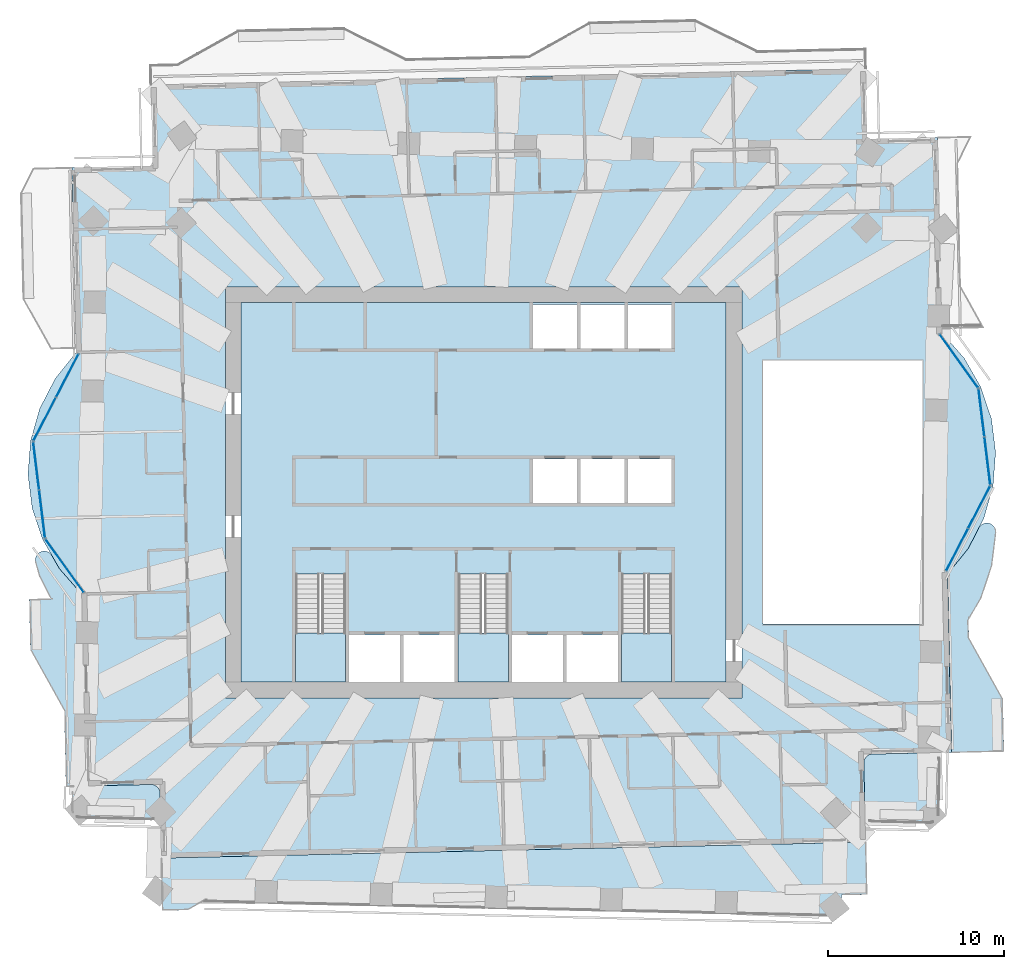
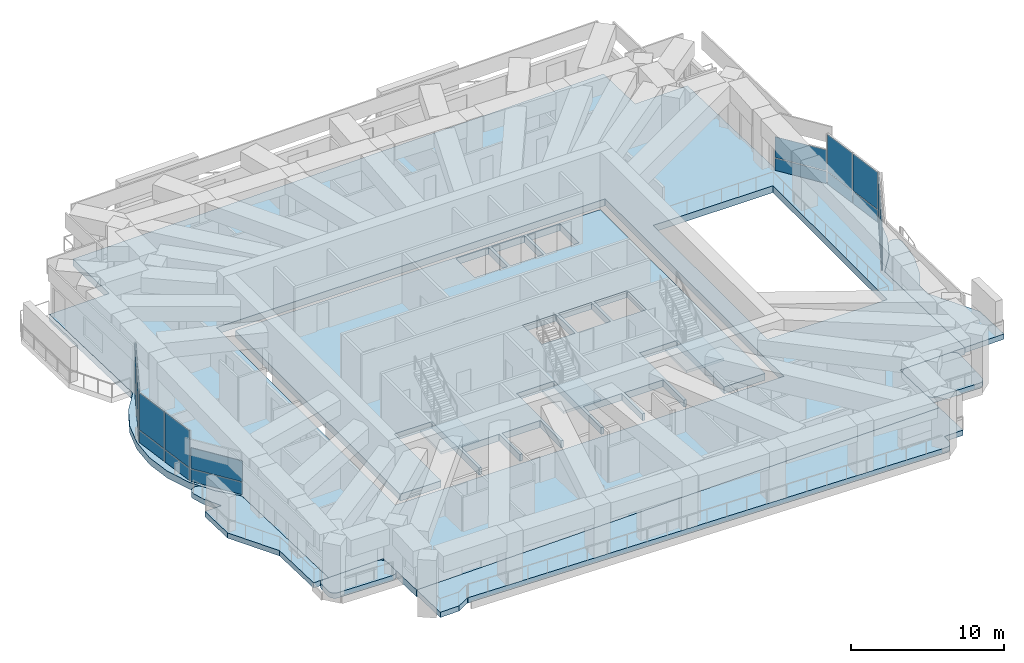
# One storey, part 7 of 17: 20 plates, 10 slabs, 9 elements without a shape of their own.
"""IFC4 building model written with IfcOpenShell, lengths in metres."""

from ifc_helpers import new_model, si_unit, direction, frame, origin, origin_2d, place, context, subcontext, project, spatial, polyline, rectangle, outline, extrude, material, layer, layer_set, type_object, element, aggregate, save


model = new_model("IFC4")

# Units and contexts
model_context = context("Model", 3, precision=1e-05, world=origin(), true_north=direction((0.0, 1.0)))
body_context = subcontext(model_context, "Body", "Model", "MODEL_VIEW")
ifc_project = project(units=[si_unit("LENGTHUNIT", "METRE"), si_unit("AREAUNIT", "SQUARE_METRE"), si_unit("VOLUMEUNIT", "CUBIC_METRE"), si_unit("PLANEANGLEUNIT", "RADIAN"), si_unit("MASSUNIT", "GRAM", prefix="KILO")], contexts=[model_context])

# Site, building, storey
site_placement = place(None, origin())
site = spatial("IfcSite", under=ifc_project, at=site_placement, CompositionType="ELEMENT")
building_placement = place(site_placement, origin())
building = spatial("IfcBuilding", under=site, at=building_placement, Name="Mangrove Gate Tower", CompositionType="ELEMENT")
storey_placement = place(building_placement, frame((0.0, 0.0, 170.699951171875)))
storey = spatial("IfcBuildingStorey", under=building, at=storey_placement, Name="L43", CompositionType="ELEMENT", Elevation=170.699951171875)

# Slabs
ifc_material_1 = material(Name="Porcelain tile")
ifc_layer_1 = layer(ifc_material_1, 0.02001953125, Name="Tile finish")
ifc_material_2 = material(Name="Cement sand screed")
ifc_layer_2 = layer(ifc_material_2, 0.0400390625, Name="Screed laid to falls")
ifc_material_3 = material(Name="Bituminous waterproofing membrane")
ifc_layer_3 = layer(ifc_material_3, 0.00390625, Name="Waterproofing")
ifc_material_4 = material(Name="Concrete C40/50", Category="concrete")
ifc_layer_4 = layer(ifc_material_4, 0.340087890625, Name="Balcony structural slab")
ifc_material_5 = material(Name="Limestone", Category="masonry")
ifc_layer_5 = layer(ifc_material_5, 0.01611328125, Name="Soffit lining")
ifc_layer_set_1 = layer_set([ifc_layer_1, ifc_layer_2, ifc_layer_3, ifc_layer_4, ifc_layer_5], Name="Balcony slab 420 C40/50")
slab_type_1 = type_object("IfcSlabType", Name="Balcony slab 420 C40/50", PredefinedType="FLOOR", material=ifc_layer_set_1)
slab_1_placement = place(storey_placement, frame((0.0, 0.0, -0.419921875)))
element("IfcSlab", 1, at=slab_1_placement, inside=storey, type_object=slab_type_1, Name="BALCONY L43 E0", PredefinedType="FLOOR", context=body_context, shape_type="SweptSolid", body=[
    extrude(outline(polyline([(26.39990234375, -4.89794921875), (26.40087890625, -4.903076171875), (26.39990234375, -4.908935546875), (26.39501953125, -4.9140625), (26.618896484375, -14.787109375), (29.60888671875, -14.718994140625), (29.541015625, -11.719970703125), (27.613037109375, -8.263916015625), (27.612060546875, -8.259033203125), (27.587890625, -7.18603515625), (27.591064453125, -7.179931640625), (27.595947265625, -7.177978515625), (27.60205078125, -7.177978515625), (27.60693359375, -7.181884765625), (28.26904296875, -6.031005859375), (28.2919921875, -5.986083984375), (28.31005859375, -5.93994140625), (28.883056640625, -4.220947265625), (28.89697265625, -4.172119140625), (28.905029296875, -4.123046875), (29.126953125, -2.324951171875), (29.1298828125, -2.27490234375), (29.12890625, -2.22509765625), (29.12109375, -2.154052734375), (29.110107421875, -2.10595703125), (29.093994140625, -2.05810546875), (29.072998046875, -2.012939453125), (29.048095703125, -1.969970703125), (29.02001953125, -1.929931640625), (28.987060546875, -1.89208984375), (28.949951171875, -1.85791015625), (28.909912109375, -1.827880859375), (28.867919921875, -1.802978515625), (28.822998046875, -1.781005859375), (28.77587890625, -1.763916015625), (28.72802734375, -1.751953125), (28.678955078125, -1.743896484375), (28.62890625, -1.741943359375), (28.580078125, -1.743896484375), (28.530029296875, -1.7509765625), (28.48193359375, -1.763916015625), (28.43505859375, -1.781005859375), (28.39111328125, -1.802001953125), (28.347900390625, -1.827880859375), (28.30810546875, -1.85791015625), (28.27197265625, -1.89208984375), (28.239013671875, -1.928955078125), (28.2099609375, -1.968994140625), (28.18408203125, -2.011962890625), (27.5849609375, -3.172119140625), (26.50390625, -4.52197265625), (26.47412109375, -4.56298828125), (26.448974609375, -4.60595703125), (26.428955078125, -4.65087890625), (26.4130859375, -4.698974609375), (26.402099609375, -4.7470703125), (26.39501953125, -4.7958984375), (26.39404296875, -4.845947265625), (26.39501953125, -4.89404296875), (26.39990234375, -4.89794921875)])), origin(), (0.0, 0.0, 1.0), 0.419921875),
])
slab_2_placement = place(storey_placement, frame((0.0, 0.0, -0.419921875)))
element("IfcSlab", 2, at=slab_2_placement, inside=storey, type_object=slab_type_1, Name="BALCONY L43 W1", PredefinedType="FLOOR", context=body_context, shape_type="SweptSolid", body=[
    extrude(outline(polyline([(-25.7958984375, -8.97412109375), (-23.866943359375, -12.431884765625), (-23.77001953125, -16.72998046875), (-22.6298828125, -16.7041015625), (-22.8720703125, -6.032958984375), (-22.876953125, -6.029052734375), (-22.87890625, -6.02392578125), (-22.876953125, -6.01708984375), (-22.8720703125, -6.012939453125), (-22.8740234375, -5.965087890625), (-22.876953125, -5.9150390625), (-22.885986328125, -5.864990234375), (-22.89892578125, -5.818115234375), (-22.9169921875, -5.77099609375), (-22.93994140625, -5.72705078125), (-22.967041015625, -5.68505859375), (-22.998046875, -5.64599609375), (-24.139892578125, -4.345947265625), (-24.573974609375, -3.592041015625), (-24.60107421875, -3.551025390625), (-24.6298828125, -3.512939453125), (-24.6640625, -3.47802734375), (-24.699951171875, -3.447021484375), (-24.739013671875, -3.4189453125), (-24.781005859375, -3.39501953125), (-24.824951171875, -3.375), (-24.87109375, -3.360107421875), (-24.9189453125, -3.34912109375), (-24.966064453125, -3.342041015625), (-25.014892578125, -3.341064453125), (-25.06201171875, -3.343994140625), (-25.110107421875, -3.35107421875), (-25.156982421875, -3.363037109375), (-25.201904296875, -3.3798828125), (-25.24609375, -3.40087890625), (-25.287109375, -3.426025390625), (-25.325927734375, -3.455078125), (-25.362060546875, -3.487060546875), (-25.39404296875, -3.52294921875), (-25.423095703125, -3.56201171875), (-25.447998046875, -3.60205078125), (-25.468017578125, -3.64599609375), (-25.485107421875, -3.69091796875), (-25.4970703125, -3.738037109375), (-25.5048828125, -3.785888671875), (-25.508056640625, -3.833984375), (-25.506103515625, -3.882080078125), (-25.5, -3.929931640625), (-25.489013671875, -3.97705078125), (-25.277099609375, -4.72412109375), (-25.260986328125, -4.77197265625), (-25.239990234375, -4.81689453125), (-24.60302734375, -6.052001953125), (-24.59912109375, -6.055908203125), (-24.59912109375, -6.06396484375), (-24.60205078125, -6.069091796875), (-24.60888671875, -6.072021484375), (-25.861083984375, -6.10009765625), (-25.7958984375, -8.97412109375)])), origin(), (0.0, 0.0, 1.0), 0.419921875),
])
slab_3_placement = place(storey_placement, frame((0.0, 0.0, -0.419921875)))
element("IfcSlab", 3, at=slab_3_placement, inside=storey, type_object=slab_type_1, Name="BALCONY L43 S0", PredefinedType="FLOOR", context=body_context, shape_type="SweptSolid", body=[
    extrude(outline(polyline([(-18.26806640625, -23.797119140625), (-16.827880859375, -23.764892578125), (-15.89501953125, -23.2451171875), (-15.889892578125, -23.242919921875), (-15.885009765625, -23.243896484375), (-15.881103515625, -23.248046875), (-15.87890625, -23.2529296875), (-15.8798828125, -23.259033203125), (19.8359375, -24.069091796875), (19.885009765625, -24.068115234375), (19.93408203125, -24.06201171875), (19.98095703125, -24.051025390625), (20.028076171875, -24.035888671875), (20.072998046875, -24.01611328125), (20.114990234375, -23.991943359375), (20.156005859375, -23.962890625), (20.193115234375, -23.930908203125), (20.22607421875, -23.89599609375), (20.257080078125, -23.85693359375), (20.282958984375, -23.81494140625), (20.304931640625, -23.77197265625), (20.322021484375, -23.72607421875), (20.3349609375, -23.678955078125), (20.343994140625, -23.6298828125), (20.346923828125, -23.5810546875), (20.362060546875, -22.94091796875), (20.35791015625, -22.93603515625), (20.35693359375, -22.930908203125), (20.35888671875, -22.926025390625), (20.362060546875, -22.922119140625), (20.367919921875, -22.919921875), (21.802001953125, -22.887939453125), (21.73388671875, -19.89892578125), (-18.3359375, -20.80810546875), (-18.26806640625, -23.797119140625)])), origin(), (0.0, 0.0, 1.0), 0.419921875),
])
ifc_material_6 = material(Name="Concrete C40/50", Category="concrete")
ifc_layer_6 = layer(ifc_material_6, 0.550048828125)
ifc_layer_set_2 = layer_set([ifc_layer_6], Name="Core floor slab 550 C40/50")
slab_type_2 = type_object("IfcSlabType", Name="Core floor slab 550 C40/50", PredefinedType="FLOOR", material=ifc_layer_set_2)
slab_4_placement = place(storey_placement, frame((0.0, 0.0, -0.550048828125)))
element("IfcSlab", 4, at=slab_4_placement, inside=storey, type_object=slab_type_2, Name="SLAB-L43-CORE-1", PredefinedType="FLOOR", context=body_context, shape_type="SweptSolid", body=[
    extrude(outline(polyline([(-13.800048828125, -10.800048828125), (-13.800048828125, 10.800048828125), (13.800048828125, 10.800048828125), (13.800048828125, -10.800048828125), (10.699951171875, -10.800048828125), (10.699951171875, -4.653076171875), (7.85009765625, -4.653076171875), (7.85009765625, -10.800048828125), (7.64990234375, -10.800048828125), (7.64990234375, -8.10009765625), (4.72509765625, -8.10009765625), (4.72509765625, -10.800048828125), (4.52490234375, -10.800048828125), (4.52490234375, -8.10009765625), (1.60009765625, -8.10009765625), (1.60009765625, -10.800048828125), (1.39990234375, -10.800048828125), (1.39990234375, -4.653076171875), (-1.449951171875, -4.653076171875), (-1.449951171875, -10.800048828125), (-1.64990234375, -10.800048828125), (-1.64990234375, -8.10009765625), (-4.550048828125, -8.10009765625), (-4.550048828125, -10.800048828125), (-4.75, -10.800048828125), (-4.75, -8.10009765625), (-7.64990234375, -8.10009765625), (-7.64990234375, -10.800048828125), (-7.85009765625, -10.800048828125), (-7.85009765625, -4.653076171875), (-10.699951171875, -4.653076171875), (-10.699951171875, -10.800048828125), (-13.800048828125, -10.800048828125)]), holes=[polyline([(5.300048828125, -0.60009765625), (5.300048828125, 1.89990234375), (2.800048828125, 1.89990234375), (2.800048828125, -0.60009765625), (5.300048828125, -0.60009765625)]), polyline([(5.300048828125, 10.699951171875), (2.800048828125, 10.699951171875), (2.800048828125, 8.199951171875), (5.300048828125, 8.199951171875), (5.300048828125, 10.699951171875)]), polyline([(8.0, -0.60009765625), (8.0, 1.89990234375), (5.5, 1.89990234375), (5.5, -0.60009765625), (8.0, -0.60009765625)]), polyline([(10.699951171875, -0.60009765625), (10.699951171875, 1.89990234375), (8.199951171875, 1.89990234375), (8.199951171875, -0.60009765625), (10.699951171875, -0.60009765625)]), polyline([(8.0, 8.199951171875), (8.0, 10.699951171875), (5.5, 10.699951171875), (5.5, 8.199951171875), (8.0, 8.199951171875)]), polyline([(10.699951171875, 8.199951171875), (10.699951171875, 10.699951171875), (8.199951171875, 10.699951171875), (8.199951171875, 8.199951171875), (10.699951171875, 8.199951171875)])]), origin(), (0.0, 0.0, 1.0), 0.550048828125),
])

# Stair, slab
ifc_material_7 = material(Name="Concrete C40/50", Category="concrete")
stair_type = type_object("IfcStairType", Name="Core stair 1350", PredefinedType="HALF_TURN_STAIR", material=ifc_material_7)
stair_1_placement = place(storey_placement, origin())
stair_1 = element("IfcStair", 5, at=stair_1_placement, inside=storey, type_object=stair_type, Name="L43 Stair 1", PredefinedType="HALF_TURN_STAIR")
ifc_material_8 = material(Name="Concrete C40/50", Category="concrete")
ifc_layer_7 = layer(ifc_material_8, 0.199951171875)
ifc_layer_set_3 = layer_set([ifc_layer_7], Name="Core stair landing 200")
slab_type_3 = type_object("IfcSlabType", Name="Core stair landing 200", PredefinedType="LANDING", material=ifc_layer_set_3)
slab_5_placement = place(storey_placement, frame((0.0, 0.0, 2.10009765625)))
slab_5 = element("IfcSlab", 6, at=slab_5_placement, type_object=slab_type_3, Name="ST1 landing 1", PredefinedType="LANDING", context=body_context, shape_type="SweptSolid", body=[
    extrude(outline(polyline([(-10.699951171875, -8.010009765625), (-10.699951171875, -10.800048828125), (-7.85009765625, -10.800048828125), (-7.85009765625, -8.010009765625), (-10.699951171875, -8.010009765625)])), origin(), (0.0, 0.0, 1.0), 0.199951171875),
])
aggregate(stair_1, [slab_5])

stair_2_placement = place(storey_placement, origin())
stair_2 = element("IfcStair", 7, at=stair_2_placement, inside=storey, type_object=stair_type, Name="L43 Stair 2", PredefinedType="HALF_TURN_STAIR")
slab_6_placement = place(storey_placement, frame((0.0, 0.0, 2.10009765625)))
slab_6 = element("IfcSlab", 8, at=slab_6_placement, type_object=slab_type_3, Name="ST2 landing 1", PredefinedType="LANDING", context=body_context, shape_type="SweptSolid", body=[
    extrude(outline(polyline([(-1.449951171875, -8.010009765625), (-1.449951171875, -10.800048828125), (1.39990234375, -10.800048828125), (1.39990234375, -8.010009765625), (-1.449951171875, -8.010009765625)])), origin(), (0.0, 0.0, 1.0), 0.199951171875),
])
aggregate(stair_2, [slab_6])

stair_3_placement = place(storey_placement, origin())
stair_3 = element("IfcStair", 9, at=stair_3_placement, inside=storey, type_object=stair_type, Name="L43 Stair 3", PredefinedType="HALF_TURN_STAIR")
slab_7_placement = place(storey_placement, frame((0.0, 0.0, 2.10009765625)))
slab_7 = element("IfcSlab", 10, at=slab_7_placement, type_object=slab_type_3, Name="ST3 landing 1", PredefinedType="LANDING", context=body_context, shape_type="SweptSolid", body=[
    extrude(outline(polyline([(7.85009765625, -8.010009765625), (7.85009765625, -10.800048828125), (10.699951171875, -10.800048828125), (10.699951171875, -8.010009765625), (7.85009765625, -8.010009765625)])), origin(), (0.0, 0.0, 1.0), 0.199951171875),
])
aggregate(stair_3, [slab_7])

# Slab
ifc_material_9 = material(Name="Concrete C40/50", Category="concrete")
ifc_layer_8 = layer(ifc_material_9, 0.550048828125)
ifc_layer_set_4 = layer_set([ifc_layer_8], Name="Floor slab 550 C40/50")
slab_type_4 = type_object("IfcSlabType", Name="Floor slab 550 C40/50", PredefinedType="FLOOR", material=ifc_layer_set_4)
slab_8_placement = place(storey_placement, frame((0.0, 0.0, -0.550048828125)))
element("IfcSlab", 11, at=slab_8_placement, inside=storey, type_object=slab_type_4, Name="Floor slab L43", PredefinedType="FLOOR", context=body_context, shape_type="SweptSolid", body=[
    extrude(outline(polyline([(-18.335693359375, -20.80810546875), (21.734130859375, -19.898681640625), (21.62060546875, -14.900146484375), (26.619384765625, -14.78662109375), (26.3896484375, -4.66455078125), (27.586181640625, -3.172119140625), (28.463134765625, -1.472412109375), (28.985595703125, 0.36767578125), (29.1328125, 2.27490234375), (28.899169921875, 4.17333984375), (28.293701171875, 5.98779296875), (27.340576171875, 7.64599609375), (26.07763671875, 9.08251953125), (25.8251953125, 20.204345703125), (21.826416015625, 20.113525390625), (21.735595703125, 24.112548828125), (-18.93408203125, 23.189697265625), (-18.82958984375, 18.5908203125), (-23.428466796875, 18.486572265625), (-23.189697265625, 7.964599609375), (-24.38623046875, 6.47216796875), (-25.26318359375, 4.772216796875), (-25.78564453125, 2.932373046875), (-25.932861328125, 1.025146484375), (-25.69921875, -0.873291015625), (-25.09375, -2.687744140625), (-24.140625, -4.345947265625), (-22.877685546875, -5.782470703125), (-22.6298828125, -16.704345703125), (-18.430908203125, -16.609130859375), (-18.335693359375, -20.80810546875)]), holes=[polyline([(15.89990234375, 7.5), (24.964111328125, 7.5), (24.964111328125, -7.5), (15.89990234375, -7.5), (15.89990234375, 7.5)]), polyline([(-14.699951171875, -11.699951171875), (-14.699951171875, 11.699951171875), (14.699951171875, 11.699951171875), (14.699951171875, -11.699951171875), (-14.699951171875, -11.699951171875)])]), origin(), (0.0, 0.0, 1.0), 0.550048828125),
])

# Curtain wall, plates
ifc_material_10 = material(Name="Aluminium and glass curtain wall", Category="aluminium")
curtain_wall_type = type_object("IfcCurtainWallType", Name="Sky-lounge glazing wall", PredefinedType="NOTDEFINED", material=ifc_material_10)
curtain_wall_1_placement = place(storey_placement, origin())
curtain_wall_1 = element("IfcCurtainWall", 12, at=curtain_wall_1_placement, inside=storey, type_object=curtain_wall_type, Name="Sky-lounge glazing E1f1", PredefinedType="NOTDEFINED")
ifc_material_11 = material(Name="Laminated low-e glass", Category="glass")
ifc_layer_9 = layer(ifc_material_11, 0.030029296875)
ifc_layer_set_5 = layer_set([ifc_layer_9], Name="Sky-lounge glazing panel 30")
plate_type = type_object("IfcPlateType", Name="Sky-lounge glazing panel 30", PredefinedType="CURTAIN_PANEL", material=ifc_layer_set_5)
plate_1_placement = place(storey_placement, frame((26.93896484375, -3.26318359375, 0.0), z_axis=(0.0, 0.0, 1.0), x_axis=(0.460655932152, 0.887578792093, 0.0)))
plate_1 = element("IfcPlate", 13, at=plate_1_placement, type_object=plate_type, Name="CWK panel 1.1", PredefinedType="CURTAIN_PANEL", context=body_context, shape_type="SweptSolid", body=[
    extrude(rectangle(XDim=2.6669921875, YDim=0.030029296875, at=origin_2d()), origin(), (0.0, 0.0, 1.0), 0.969970703125),
])
plate_2_placement = place(storey_placement, frame((26.93896484375, -3.26318359375, 1.030029296875), z_axis=(0.0, 0.0, 1.0), x_axis=(0.460655932152, 0.887578792093, 0.0)))
plate_2 = element("IfcPlate", 14, at=plate_2_placement, type_object=plate_type, Name="CWK panel 1.2", PredefinedType="CURTAIN_PANEL", context=body_context, shape_type="SweptSolid", body=[
    extrude(rectangle(XDim=2.6669921875, YDim=0.030029296875, at=origin_2d()), origin(), (0.0, 0.0, 1.0), 2.9599609375),
])
plate_3_placement = place(storey_placement, frame((28.195068359375, -0.8427734375, 0.0), z_axis=(0.0, 0.0, 1.0), x_axis=(0.460655932152, 0.887578792093, 0.0)))
plate_3 = element("IfcPlate", 15, at=plate_3_placement, type_object=plate_type, Name="CWK panel 2.1", PredefinedType="CURTAIN_PANEL", context=body_context, shape_type="SweptSolid", body=[
    extrude(rectangle(XDim=2.6669921875, YDim=0.030029296875, at=origin_2d()), origin(), (0.0, 0.0, 1.0), 0.969970703125),
])
plate_4_placement = place(storey_placement, frame((28.195068359375, -0.8427734375, 1.030029296875), z_axis=(0.0, 0.0, 1.0), x_axis=(0.460655932152, 0.887578792093, 0.0)))
plate_4 = element("IfcPlate", 16, at=plate_4_placement, type_object=plate_type, Name="CWK panel 2.2", PredefinedType="CURTAIN_PANEL", context=body_context, shape_type="SweptSolid", body=[
    extrude(rectangle(XDim=2.6669921875, YDim=0.030029296875, at=origin_2d()), origin(), (0.0, 0.0, 1.0), 2.9599609375),
])
aggregate(curtain_wall_1, [plate_1, plate_2, plate_3, plate_4])

curtain_wall_2_placement = place(storey_placement, origin())
curtain_wall_2 = element("IfcCurtainWall", 17, at=curtain_wall_2_placement, inside=storey, type_object=curtain_wall_type, Name="Sky-lounge glazing E1f2", PredefinedType="NOTDEFINED")
plate_5_placement = place(storey_placement, frame((28.6650390625, 1.7919921875, 0.0), z_axis=(0.0, 0.0, 1.0), x_axis=(-0.122172286076, 0.992508908028, 0.0)))
plate_5 = element("IfcPlate", 18, at=plate_5_placement, type_object=plate_type, Name="CWK panel 1.1", PredefinedType="CURTAIN_PANEL", context=body_context, shape_type="SweptSolid", body=[
    extrude(rectangle(XDim=2.69677734375, YDim=0.030029296875, at=origin_2d()), origin(), (0.0, 0.0, 1.0), 0.969970703125),
])
plate_6_placement = place(storey_placement, frame((28.6650390625, 1.7919921875, 1.030029296875), z_axis=(0.0, 0.0, 1.0), x_axis=(-0.122172286076, 0.992508908028, 0.0)))
plate_6 = element("IfcPlate", 19, at=plate_6_placement, type_object=plate_type, Name="CWK panel 1.2", PredefinedType="CURTAIN_PANEL", context=body_context, shape_type="SweptSolid", body=[
    extrude(rectangle(XDim=2.69677734375, YDim=0.030029296875, at=origin_2d()), origin(), (0.0, 0.0, 1.0), 2.9599609375),
])
plate_7_placement = place(storey_placement, frame((28.328369140625, 4.528076171875, 0.0), z_axis=(0.0, 0.0, 1.0), x_axis=(-0.122172286076, 0.992508908028, 0.0)))
plate_7 = element("IfcPlate", 20, at=plate_7_placement, type_object=plate_type, Name="CWK panel 2.1", PredefinedType="CURTAIN_PANEL", context=body_context, shape_type="SweptSolid", body=[
    extrude(rectangle(XDim=2.69677734375, YDim=0.030029296875, at=origin_2d()), origin(), (0.0, 0.0, 1.0), 0.969970703125),
])
plate_8_placement = place(storey_placement, frame((28.328369140625, 4.528076171875, 1.030029296875), z_axis=(0.0, 0.0, 1.0), x_axis=(-0.122172286076, 0.992508908028, 0.0)))
plate_8 = element("IfcPlate", 21, at=plate_8_placement, type_object=plate_type, Name="CWK panel 2.2", PredefinedType="CURTAIN_PANEL", context=body_context, shape_type="SweptSolid", body=[
    extrude(rectangle(XDim=2.69677734375, YDim=0.030029296875, at=origin_2d()), origin(), (0.0, 0.0, 1.0), 2.9599609375),
])
aggregate(curtain_wall_2, [plate_5, plate_6, plate_7, plate_8])

curtain_wall_3_placement = place(storey_placement, origin())
curtain_wall_3 = element("IfcCurtainWall", 22, at=curtain_wall_3_placement, inside=storey, type_object=curtain_wall_type, Name="Sky-lounge glazing E1f3", PredefinedType="NOTDEFINED")
plate_9_placement = place(storey_placement, frame((27.042724609375, 7.475341796875, 0.0), z_axis=(0.0, 0.0, 1.0), x_axis=(-0.583670260779, 0.811990779925, 0.0)))
plate_9 = element("IfcPlate", 23, at=plate_9_placement, type_object=plate_type, Name="CWK panel 1.1", PredefinedType="CURTAIN_PANEL", context=body_context, shape_type="SweptSolid", body=[
    extrude(rectangle(XDim=3.696044921875, YDim=0.030029296875, at=origin_2d()), origin(), (0.0, 0.0, 1.0), 0.969970703125),
])
plate_10_placement = place(storey_placement, frame((27.042724609375, 7.475341796875, 1.0302734375), z_axis=(0.0, 0.0, 1.0), x_axis=(-0.583670260779, 0.811990779925, 0.0)))
plate_10 = element("IfcPlate", 24, at=plate_10_placement, type_object=plate_type, Name="CWK panel 1.2", PredefinedType="CURTAIN_PANEL", context=body_context, shape_type="SweptSolid", body=[
    extrude(rectangle(XDim=3.696044921875, YDim=0.030029296875, at=origin_2d()), origin(), (0.0, 0.0, 1.0), 1.659912109375),
])
aggregate(curtain_wall_3, [plate_9, plate_10])

curtain_wall_4_placement = place(storey_placement, origin())
curtain_wall_4 = element("IfcCurtainWall", 25, at=curtain_wall_4_placement, inside=storey, type_object=curtain_wall_type, Name="Sky-lounge glazing W9f1", PredefinedType="NOTDEFINED")
plate_11_placement = place(storey_placement, frame((-23.695068359375, 6.648193359375, 0.0), z_axis=(0.0, 0.0, 1.0), x_axis=(-0.460628472605, -0.887593043137, 0.0)))
plate_11 = element("IfcPlate", 26, at=plate_11_placement, type_object=plate_type, Name="CWK panel 1.1", PredefinedType="CURTAIN_PANEL", context=body_context, shape_type="SweptSolid", body=[
    extrude(rectangle(XDim=2.73095703125, YDim=0.030029296875, at=origin_2d()), origin(), (0.0, 0.0, 1.0), 0.969970703125),
])
plate_12_placement = place(storey_placement, frame((-23.695068359375, 6.648193359375, 1.030029296875), z_axis=(0.0, 0.0, 1.0), x_axis=(-0.460628472605, -0.887593043137, 0.0)))
plate_12 = element("IfcPlate", 27, at=plate_12_placement, type_object=plate_type, Name="CWK panel 1.2", PredefinedType="CURTAIN_PANEL", context=body_context, shape_type="SweptSolid", body=[
    extrude(rectangle(XDim=2.73095703125, YDim=0.030029296875, at=origin_2d()), origin(), (0.0, 0.0, 1.0), 2.9599609375),
])
plate_13_placement = place(storey_placement, frame((-24.98046875, 4.1708984375, 0.0), z_axis=(0.0, 0.0, 1.0), x_axis=(-0.460628472605, -0.887593043137, 0.0)))
plate_13 = element("IfcPlate", 28, at=plate_13_placement, type_object=plate_type, Name="CWK panel 2.1", PredefinedType="CURTAIN_PANEL", context=body_context, shape_type="SweptSolid", body=[
    extrude(rectangle(XDim=2.73095703125, YDim=0.030029296875, at=origin_2d()), origin(), (0.0, 0.0, 1.0), 0.969970703125),
])
plate_14_placement = place(storey_placement, frame((-24.98046875, 4.1708984375, 1.030029296875), z_axis=(0.0, 0.0, 1.0), x_axis=(-0.460628472605, -0.887593043137, 0.0)))
plate_14 = element("IfcPlate", 29, at=plate_14_placement, type_object=plate_type, Name="CWK panel 2.2", PredefinedType="CURTAIN_PANEL", context=body_context, shape_type="SweptSolid", body=[
    extrude(rectangle(XDim=2.73095703125, YDim=0.030029296875, at=origin_2d()), origin(), (0.0, 0.0, 1.0), 2.9599609375),
])
aggregate(curtain_wall_4, [plate_11, plate_12, plate_13, plate_14])

curtain_wall_5_placement = place(storey_placement, origin())
curtain_wall_5 = element("IfcCurtainWall", 30, at=curtain_wall_5_placement, inside=storey, type_object=curtain_wall_type, Name="Sky-lounge glazing W9f2", PredefinedType="NOTDEFINED")
plate_15_placement = place(storey_placement, frame((-25.465087890625, 1.508056640625, 0.0), z_axis=(0.0, 0.0, 1.0), x_axis=(0.122172286076, -0.992508908028, 0.0)))
plate_15 = element("IfcPlate", 31, at=plate_15_placement, type_object=plate_type, Name="CWK panel 1.1", PredefinedType="CURTAIN_PANEL", context=body_context, shape_type="SweptSolid", body=[
    extrude(rectangle(XDim=2.69677734375, YDim=0.030029296875, at=origin_2d()), origin(), (0.0, 0.0, 1.0), 0.969970703125),
])
plate_16_placement = place(storey_placement, frame((-25.465087890625, 1.508056640625, 1.030029296875), z_axis=(0.0, 0.0, 1.0), x_axis=(0.122172286076, -0.992508908028, 0.0)))
plate_16 = element("IfcPlate", 32, at=plate_16_placement, type_object=plate_type, Name="CWK panel 1.2", PredefinedType="CURTAIN_PANEL", context=body_context, shape_type="SweptSolid", body=[
    extrude(rectangle(XDim=2.69677734375, YDim=0.030029296875, at=origin_2d()), origin(), (0.0, 0.0, 1.0), 2.9599609375),
])
plate_17_placement = place(storey_placement, frame((-25.12841796875, -1.22802734375, 0.0), z_axis=(0.0, 0.0, 1.0), x_axis=(0.122172286076, -0.992508908028, 0.0)))
plate_17 = element("IfcPlate", 33, at=plate_17_placement, type_object=plate_type, Name="CWK panel 2.1", PredefinedType="CURTAIN_PANEL", context=body_context, shape_type="SweptSolid", body=[
    extrude(rectangle(XDim=2.69677734375, YDim=0.030029296875, at=origin_2d()), origin(), (0.0, 0.0, 1.0), 0.969970703125),
])
plate_18_placement = place(storey_placement, frame((-25.12841796875, -1.22802734375, 1.030029296875), z_axis=(0.0, 0.0, 1.0), x_axis=(0.122172286076, -0.992508908028, 0.0)))
plate_18 = element("IfcPlate", 34, at=plate_18_placement, type_object=plate_type, Name="CWK panel 2.2", PredefinedType="CURTAIN_PANEL", context=body_context, shape_type="SweptSolid", body=[
    extrude(rectangle(XDim=2.69677734375, YDim=0.030029296875, at=origin_2d()), origin(), (0.0, 0.0, 1.0), 2.9599609375),
])
aggregate(curtain_wall_5, [plate_15, plate_16, plate_17, plate_18])

curtain_wall_6_placement = place(storey_placement, origin())
curtain_wall_6 = element("IfcCurtainWall", 35, at=curtain_wall_6_placement, inside=storey, type_object=curtain_wall_type, Name="Sky-lounge glazing W9f3", PredefinedType="NOTDEFINED")
plate_19_placement = place(storey_placement, frame((-23.842529296875, -4.17529296875, 0.0), z_axis=(0.0, 0.0, 1.0), x_axis=(0.583670260779, -0.811990779925, 0.0)))
plate_19 = element("IfcPlate", 36, at=plate_19_placement, type_object=plate_type, Name="CWK panel 1.1", PredefinedType="CURTAIN_PANEL", context=body_context, shape_type="SweptSolid", body=[
    extrude(rectangle(XDim=3.696044921875, YDim=0.030029296875, at=origin_2d()), origin(), (0.0, 0.0, 1.0), 0.969970703125),
])
plate_20_placement = place(storey_placement, frame((-23.842529296875, -4.17529296875, 1.0302734375), z_axis=(0.0, 0.0, 1.0), x_axis=(0.583670260779, -0.811990779925, 0.0)))
plate_20 = element("IfcPlate", 37, at=plate_20_placement, type_object=plate_type, Name="CWK panel 1.2", PredefinedType="CURTAIN_PANEL", context=body_context, shape_type="SweptSolid", body=[
    extrude(rectangle(XDim=3.696044921875, YDim=0.030029296875, at=origin_2d()), origin(), (0.0, 0.0, 1.0), 1.659912109375),
])
aggregate(curtain_wall_6, [plate_19, plate_20])

# Slabs
ifc_material_12 = material(Name="Granite", Category="masonry")
ifc_layer_10 = layer(ifc_material_12, 0.030029296875, Name="Granite paving")
ifc_layer_11 = layer(ifc_material_2, 0.0400390625, Name="Bedding screed")
ifc_layer_12 = layer(ifc_material_3, 0.0048828125, Name="Waterproofing")
ifc_material_13 = material(Name="Extruded polystyrene insulation")
ifc_layer_13 = layer(ifc_material_13, 0.0400390625, Name="Insulation")
ifc_layer_14 = layer(ifc_material_4, 0.304931640625, Name="Terrace structural slab")
ifc_layer_set_6 = layer_set([ifc_layer_10, ifc_layer_11, ifc_layer_12, ifc_layer_13, ifc_layer_14], Name="Terrace slab C40/50")
slab_type_5 = type_object("IfcSlabType", Name="Terrace slab C40/50", PredefinedType="FLOOR", material=ifc_layer_set_6)
slab_9_placement = place(storey_placement, frame((0.0, 0.0, -0.419921875)))
element("IfcSlab", 38, at=slab_9_placement, inside=storey, type_object=slab_type_5, Name="TERRACE L43 2", PredefinedType="FLOOR", context=body_context, shape_type="SweptSolid", body=[
    extrude(outline(polyline([(25.867919921875, -18.304931640625), (25.93603515625, -15.324951171875), (25.93505859375, -15.27392578125), (25.927978515625, -15.22412109375), (25.9169921875, -15.175048828125), (25.89990234375, -15.126953125), (25.87890625, -15.08203125), (25.85302734375, -15.0380859375), (25.823974609375, -14.9970703125), (25.7900390625, -14.9599609375), (25.751953125, -14.926025390625), (25.7119140625, -14.89599609375), (25.66796875, -14.87109375), (25.6220703125, -14.85009765625), (25.573974609375, -14.8330078125), (25.52490234375, -14.822021484375), (25.47509765625, -14.81494140625), (25.425048828125, -14.81396484375), (22.12109375, -14.888916015625), (22.072021484375, -14.89208984375), (22.02294921875, -14.90087890625), (21.97607421875, -14.9140625), (21.929931640625, -14.930908203125), (21.885986328125, -14.952880859375), (21.844970703125, -14.97900390625), (21.805908203125, -15.009033203125), (21.77001953125, -15.04296875), (21.738037109375, -15.080078125), (21.7099609375, -15.1201171875), (21.68603515625, -15.1630859375), (21.666015625, -15.2080078125), (21.64990234375, -15.25390625), (21.638916015625, -15.302001953125), (21.633056640625, -15.35107421875), (21.632080078125, -15.39990234375), (21.696044921875, -18.23291015625), (21.699951171875, -18.280029296875), (21.70703125, -18.326904296875), (21.719970703125, -18.373046875), (21.736083984375, -18.41796875), (21.757080078125, -18.4609375), (21.781982421875, -18.501953125), (21.81103515625, -18.5400390625), (21.843017578125, -18.574951171875), (21.8779296875, -18.60693359375), (21.916015625, -18.635986328125), (21.95703125, -18.659912109375), (22.0, -18.680908203125), (22.0439453125, -18.697998046875), (22.090087890625, -18.7099609375), (22.136962890625, -18.718017578125), (22.18505859375, -18.720947265625), (25.35693359375, -18.79296875), (25.406005859375, -18.7919921875), (25.455078125, -18.785888671875), (25.5029296875, -18.77490234375), (25.549072265625, -18.760009765625), (25.593994140625, -18.739990234375), (25.636962890625, -18.715087890625), (25.677001953125, -18.68701171875), (25.714111328125, -18.655029296875), (25.748046875, -18.618896484375), (25.778076171875, -18.5810546875), (25.803955078125, -18.5390625), (25.825927734375, -18.4951171875), (25.843994140625, -18.448974609375), (25.85693359375, -18.402099609375), (25.864990234375, -18.35400390625), (25.867919921875, -18.304931640625)])), origin(), (0.0, 0.0, 1.0), 0.419921875),
])
slab_10_placement = place(storey_placement, frame((0.0, 0.0, -0.419921875)))
element("IfcSlab", 39, at=slab_10_placement, inside=storey, type_object=slab_type_5, Name="TERRACE L43 4", PredefinedType="FLOOR", context=body_context, shape_type="SweptSolid", body=[
    extrude(outline(polyline([(-23.39697265625, -17.114990234375), (-23.4169921875, -17.987060546875), (-23.416015625, -18.035888671875), (-23.409912109375, -18.083984375), (-23.39892578125, -18.132080078125), (-23.383056640625, -18.178955078125), (-23.363037109375, -18.22412109375), (-23.339111328125, -18.26611328125), (-23.31103515625, -18.305908203125), (-23.279052734375, -18.343017578125), (-23.242919921875, -18.376953125), (-23.2041015625, -18.406982421875), (-23.1630859375, -18.43310546875), (-23.118896484375, -18.455078125), (-23.072998046875, -18.472900390625), (-23.02587890625, -18.486083984375), (-22.97705078125, -18.493896484375), (-22.928955078125, -18.498046875), (-18.908935546875, -18.589111328125), (-18.85791015625, -18.587890625), (-18.80810546875, -18.5810546875), (-18.759033203125, -18.570068359375), (-18.7109375, -18.552978515625), (-18.666015625, -18.531982421875), (-18.6220703125, -18.507080078125), (-18.5810546875, -18.47705078125), (-18.5439453125, -18.443115234375), (-18.510009765625, -18.405029296875), (-18.47998046875, -18.364990234375), (-18.4541015625, -18.321044921875), (-18.43310546875, -18.27490234375), (-18.4169921875, -18.22802734375), (-18.405029296875, -18.177978515625), (-18.39892578125, -18.1279296875), (-18.39794921875, -18.077880859375), (-18.419921875, -17.10888671875), (-18.423095703125, -17.06005859375), (-18.430908203125, -17.011962890625), (-18.444091796875, -16.964111328125), (-18.4619140625, -16.9189453125), (-18.48388671875, -16.875), (-18.510009765625, -16.8330078125), (-18.5400390625, -16.7939453125), (-18.573974609375, -16.759033203125), (-18.611083984375, -16.72705078125), (-18.65087890625, -16.697998046875), (-18.694091796875, -16.674072265625), (-18.739013671875, -16.654052734375), (-18.784912109375, -16.638916015625), (-18.8330078125, -16.6279296875), (-18.882080078125, -16.6220703125), (-18.930908203125, -16.6201171875), (-22.610107421875, -16.7041015625), (-22.610107421875, -16.7060546875), (-22.610107421875, -16.70703125), (-22.611083984375, -16.708984375), (-22.611083984375, -16.7109375), (-22.612060546875, -16.712890625), (-22.613037109375, -16.715087890625), (-22.614013671875, -16.716064453125), (-22.615966796875, -16.718017578125), (-22.616943359375, -16.718994140625), (-22.618896484375, -16.719970703125), (-22.6201171875, -16.720947265625), (-22.6220703125, -16.721923828125), (-22.6240234375, -16.722900390625), (-22.6259765625, -16.72412109375), (-22.6279296875, -16.72412109375), (-22.6298828125, -16.72412109375), (-23.2099609375, -16.737060546875), (-23.241943359375, -16.764892578125), (-23.27587890625, -16.800048828125), (-23.305908203125, -16.839111328125), (-23.3330078125, -16.881103515625), (-23.35498046875, -16.925048828125), (-23.3720703125, -16.970947265625), (-23.385009765625, -17.01806640625), (-23.39404296875, -17.06591796875), (-23.39697265625, -17.114990234375)])), origin(), (0.0, 0.0, 1.0), 0.419921875),
])

save(model, "model.ifc")
